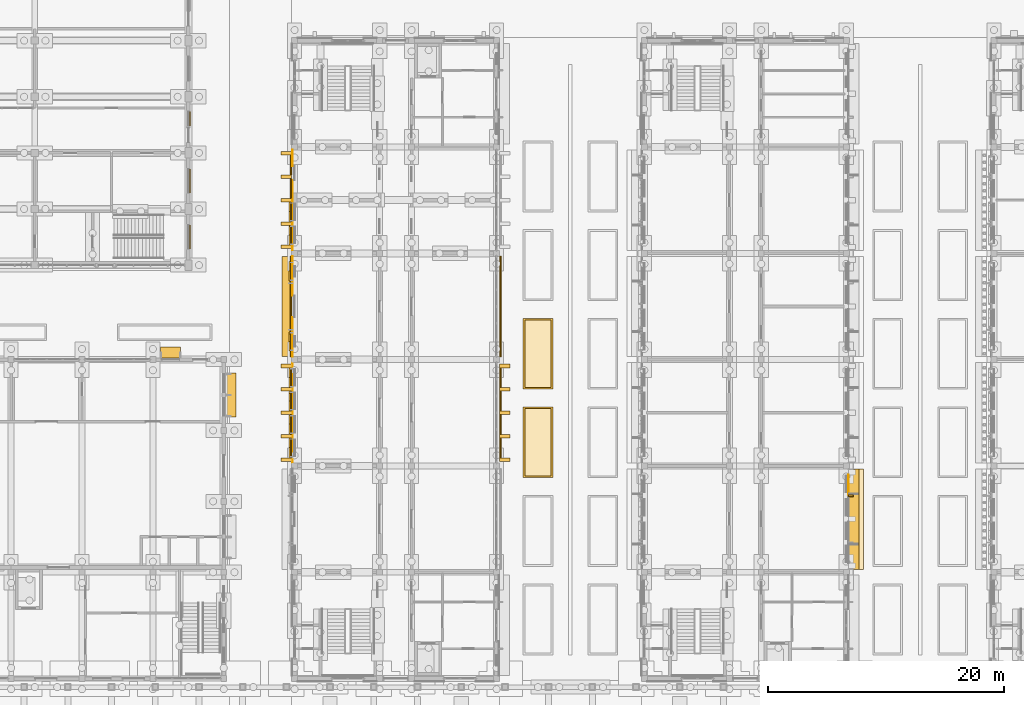
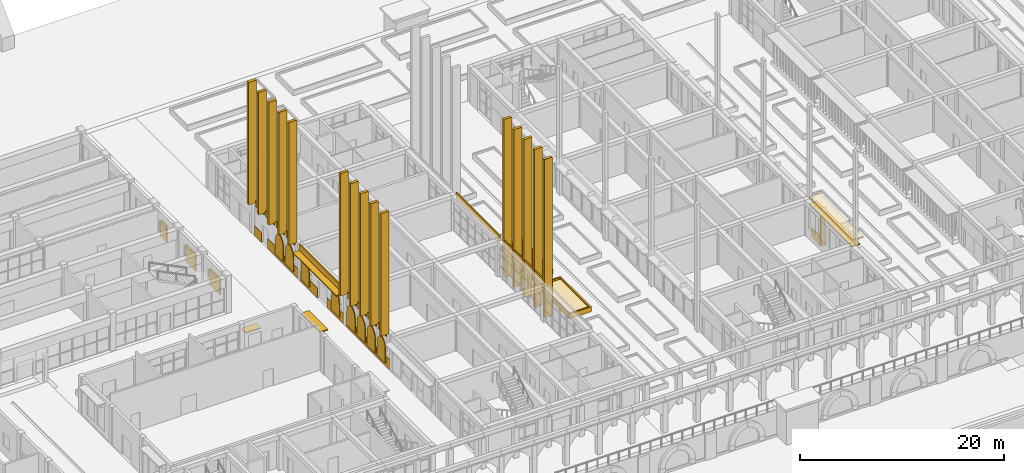
# One storey, part 102 of 161: 41 coverings, 15 shading devices.
"""IFC4 building model written with IfcOpenShell, lengths in metres."""

from ifc_helpers import new_model, si_unit, direction, frame, origin, origin_2d, place, context, subcontext, project, spatial, polyline, rectangle, outline, extrude, material, layer, layer_set, type_object, element, save


model = new_model("IFC4")

# Units and contexts
model_context = context("Model", 3, precision=1e-05, world=origin(), true_north=direction((0.0, 1.0)))
body_context = subcontext(model_context, "Body", "Model", "MODEL_VIEW")
ifc_project = project(units=[si_unit("LENGTHUNIT", "METRE"), si_unit("AREAUNIT", "SQUARE_METRE"), si_unit("VOLUMEUNIT", "CUBIC_METRE"), si_unit("PLANEANGLEUNIT", "RADIAN"), si_unit("MASSUNIT", "GRAM", prefix="KILO")], contexts=[model_context])

# Site, building, storey
site_placement = place(None, origin())
site = spatial("IfcSite", under=ifc_project, at=site_placement, CompositionType="ELEMENT")
building_placement = place(site_placement, origin())
building = spatial("IfcBuilding", under=site, at=building_placement, Name="Elbe Cascade School", CompositionType="ELEMENT")
storey_placement = place(building_placement, origin())
storey = spatial("IfcBuildingStorey", under=building, at=storey_placement, Name="L00", CompositionType="ELEMENT", Elevation=0.0)

# Shading devices
ifc_material_1 = material(Name="Precast concrete C30/37", Category="concrete")
ifc_layer_1 = layer(ifc_material_1, 0.1201171875)
ifc_layer_set_1 = layer_set([ifc_layer_1], Name="Precast concrete C30/37")
shading_device_type_1 = type_object("IfcShadingDeviceType", Name="Bars envelope Chhajja eave, precast concrete, 900 x 120", PredefinedType="USERDEFINED", material=ifc_layer_set_1)
for number, where, z_axis, x_axis, name in (
    (1, (68.3701171875, 37.5, 3.6298828125), (0.0, 0.0, 1.0), (0.0, 1.0, 0.0), "Chhajja eave SD2 A.L00.w4"),
    (2, (116.330078125, 19.5, 3.6298828125), (0.0, 0.0, 1.0), (0.0, 1.0, 0.0), "Chhajja eave SD2 B.L00.e2"),
):
    element("IfcShadingDevice", number, at=place(storey_placement, frame(where, z_axis=z_axis, x_axis=x_axis)), inside=storey, type_object=shading_device_type_1, Name=name, ObjectType="CHHAJJA", PredefinedType="USERDEFINED", context=body_context, shape_type="SweptSolid", body=[
        extrude(rectangle(XDim=8.5, YDim=0.89990234375, at=origin_2d()), origin(), (0.0, 0.0, 1.0), 0.1201171875),
    ])
ifc_material_2 = material(Name="Precast concrete C40/50", Category="concrete")
ifc_layer_2 = layer(ifc_material_2, 0.10009765625)
ifc_layer_set_2 = layer_set([ifc_layer_2], Name="Precast concrete C40/50")
shading_device_type_2 = type_object("IfcShadingDeviceType", Name="Bars envelope Jali screen 1600 x 2840, pointed arch rise 1200, pierced precast concrete", PredefinedType="USERDEFINED", material=ifc_layer_set_2)
shading_device_1_placement = place(storey_placement, frame((68.5400390625, 24.72998046875, 2.239990234375), z_axis=(-1.0, 0.0, 0.0), x_axis=(0.0, 0.196300278283, 0.98054382908)))
element("IfcShadingDevice", 3, at=shading_device_1_placement, inside=storey, type_object=shading_device_type_2, Name="Jali screen SD3 A.L00.w3.1", ObjectType="JALI", PredefinedType="USERDEFINED", context=body_context, shape_type="SweptSolid", body=[
    extrude(outline(polyline([(0.0, 0.0), (0.509921112317134, 0.0), (0.7186409460062186, 0.06005009918221829), (0.8735458233318658, 0.1311226852889124), (0.9982395622926888, 0.20799441476340969), (1.102872417131342, 0.2891312241218946), (1.1919448840573539, 0.37338315020117196), (1.268281725197354, 0.45993570394643946), (1.3336545243794973, 0.5489321924158467), (1.3075321958793382, 0.6559965916457164), (1.270445825421322, 0.7655049255997259), (1.220671754049922, 0.877553277802997), (1.155289369893253, 0.9924773561437888), (1.069846101614414, 1.1116665143685687), (0.9541916949707512, 1.2366548159611515), (0.7847223319636507, 1.37266560447821), (0.31409961520112845, 1.5689658827607584), (-1.2938869326328684, 1.8908772522001815), (-1.6079865478339967, 0.32191136943942317), (0.0, 0.0)])), origin(), (0.0, 0.0, -1.0), 0.10009765625),
])
for number, where, z_axis, x_axis, name in (
    (4, (68.5400390625, 26.7099609375, 2.239990234375), (-1.0, 0.0, 0.0), (0.0, 0.196300278283, 0.98054382908), "Jali screen SD3 A.L00.w3.2"),
    (5, (68.5400390625, 28.68994140625, 2.239990234375), (-1.0, 0.0, 0.0), (0.0, 0.196300278283, 0.98054382908), "Jali screen SD3 A.L00.w3.3"),
):
    element("IfcShadingDevice", number, at=place(storey_placement, frame(where, z_axis=z_axis, x_axis=x_axis)), inside=storey, type_object=shading_device_type_2, Name=name, ObjectType="JALI", PredefinedType="USERDEFINED", context=body_context, shape_type="SweptSolid", body=[
        extrude(outline(polyline([(0.0, 0.0), (0.509921112317134, 0.0), (0.7186409460062186, 0.06005009918221829), (0.8735458233318658, 0.1311226852889124), (0.9982874871653163, 0.20823380534668107), (1.102872417131342, 0.2891312241218946), (1.1919448840573539, 0.37338315020117196), (1.268281725197354, 0.45993570394643946), (1.3336545243794973, 0.5489321924158467), (1.3075801207519657, 0.6562359822289878), (1.270445825421322, 0.7655049255997259), (1.220671754049922, 0.877553277802997), (1.155289369893253, 0.9924773561437888), (1.069846101614414, 1.1116665143685687), (0.9542396198433787, 1.2368942065444228), (0.7847223319636507, 1.37266560447821), (0.31409961520112845, 1.5689658827607584), (-1.2938869326328684, 1.8908772522001815), (-1.6079865478339967, 0.32191136943942317), (0.0, 0.0)])), origin(), (0.0, 0.0, -1.0), 0.10009765625),
    ])
shading_device_2_placement = place(storey_placement, frame((68.5400390625, 30.669921875, 2.239990234375), z_axis=(-1.0, 0.0, 0.0), x_axis=(0.0, 0.196300278283, 0.98054382908)))
element("IfcShadingDevice", 6, at=shading_device_2_placement, inside=storey, type_object=shading_device_type_2, Name="Jali screen SD3 A.L00.w3.4", ObjectType="JALI", PredefinedType="USERDEFINED", context=body_context, shape_type="SweptSolid", body=[
    extrude(outline(polyline([(0.0, 0.0), (0.509921112317134, 0.0), (0.7186888708788461, 0.0602894897654897), (0.8735458233318658, 0.1311226852889124), (0.9982874871653163, 0.20823380534668107), (1.102872417131342, 0.2891312241218946), (1.1919448840573539, 0.37338315020117196), (1.2683296500699814, 0.46017509452971084), (1.3336545243794973, 0.5489321924158467), (1.3075801207519657, 0.6562359822289878), (1.270445825421322, 0.7655049255997259), (1.220671754049922, 0.877553277802997), (1.1553372947658807, 0.9927167467270602), (1.069846101614414, 1.1116665143685687), (0.9542396198433787, 1.2368942065444228), (0.7847223319636507, 1.37266560447821), (0.31409961520112845, 1.5689658827607584), (-1.2938869326328684, 1.8908772522001815), (-1.6079865478339967, 0.32191136943942317), (0.0, 0.0)])), origin(), (0.0, 0.0, -1.0), 0.10009765625),
])
shading_device_3_placement = place(storey_placement, frame((68.5400390625, 33.72998046875, 2.239990234375), z_axis=(-1.0, 0.0, 0.0), x_axis=(0.0, 0.196300278283, 0.98054382908)))
element("IfcShadingDevice", 7, at=shading_device_3_placement, inside=storey, type_object=shading_device_type_2, Name="Jali screen SD3 A.L00.w4.1", ObjectType="JALI", PredefinedType="USERDEFINED", context=body_context, shape_type="SweptSolid", body=[
    extrude(outline(polyline([(0.0, 0.0), (0.509921112317134, 0.0), (0.7186409460062186, 0.06005009918221829), (0.8735458233318658, 0.1311226852889124), (0.9982395622926888, 0.20799441476340969), (1.102872417131342, 0.2891312241218946), (1.1919448840573539, 0.37338315020117196), (1.268281725197354, 0.45993570394643946), (1.3336545243794973, 0.5489321924158467), (1.3075321958793382, 0.6559965916457164), (1.270445825421322, 0.7655049255997259), (1.220671754049922, 0.877553277802997), (1.155289369893253, 0.9924773561437888), (1.069846101614414, 1.1116665143685687), (0.9541916949707512, 1.2366548159611515), (0.7847223319636507, 1.37266560447821), (0.31409961520112845, 1.5689658827607584), (-1.2938869326328684, 1.8908772522001815), (-1.6079865478339967, 0.32191136943942317), (0.0, 0.0)])), origin(), (0.0, 0.0, -1.0), 0.10009765625),
])
shading_device_4_placement = place(storey_placement, frame((68.5400390625, 39.669921875, 2.239990234375), z_axis=(-1.0, 0.0, 0.0), x_axis=(0.0, 0.196300278283, 0.98054382908)))
element("IfcShadingDevice", 8, at=shading_device_4_placement, inside=storey, type_object=shading_device_type_2, Name="Jali screen SD3 A.L00.w4.4", ObjectType="JALI", PredefinedType="USERDEFINED", context=body_context, shape_type="SweptSolid", body=[
    extrude(outline(polyline([(0.0, 0.0), (0.509921112317134, 0.0), (0.7186888708788461, 0.0602894897654897), (0.8735458233318658, 0.1311226852889124), (0.9982874871653163, 0.20823380534668107), (1.102872417131342, 0.2891312241218946), (1.1919448840573539, 0.37338315020117196), (1.2683296500699814, 0.46017509452971084), (1.3336545243794973, 0.5489321924158467), (1.3075801207519657, 0.6562359822289878), (1.270445825421322, 0.7655049255997259), (1.220671754049922, 0.877553277802997), (1.1553372947658807, 0.9927167467270602), (1.069846101614414, 1.1116665143685687), (0.9542396198433787, 1.2368942065444228), (0.7847223319636507, 1.37266560447821), (0.31409961520112845, 1.5689658827607584), (-1.2938869326328684, 1.8908772522001815), (-1.6079865478339967, 0.32191136943942317), (0.0, 0.0)])), origin(), (0.0, 0.0, -1.0), 0.10009765625),
])
shading_device_5_placement = place(storey_placement, frame((68.5400390625, 42.72998046875, 2.239990234375), z_axis=(-1.0, 0.0, 0.0), x_axis=(0.0, 0.196300278283, 0.98054382908)))
element("IfcShadingDevice", 9, at=shading_device_5_placement, inside=storey, type_object=shading_device_type_2, Name="Jali screen SD3 A.L00.w5.1", ObjectType="JALI", PredefinedType="USERDEFINED", context=body_context, shape_type="SweptSolid", body=[
    extrude(outline(polyline([(0.0, 0.0), (0.509921112317134, 0.0), (0.7186409460062186, 0.06005009918221829), (0.8735458233318658, 0.1311226852889124), (0.9982395622926888, 0.20799441476340969), (1.102872417131342, 0.2891312241218946), (1.1919448840573539, 0.37338315020117196), (1.268281725197354, 0.45993570394643946), (1.3336545243794973, 0.5489321924158467), (1.3075321958793382, 0.6559965916457164), (1.270445825421322, 0.7655049255997259), (1.220671754049922, 0.877553277802997), (1.155289369893253, 0.9924773561437888), (1.069846101614414, 1.1116665143685687), (0.9541916949707512, 1.2366548159611515), (0.7847223319636507, 1.37266560447821), (0.31409961520112845, 1.5689658827607584), (-1.2938869326328684, 1.8908772522001815), (-1.6079865478339967, 0.32191136943942317), (0.0, 0.0)])), origin(), (0.0, 0.0, -1.0), 0.10009765625),
])
shading_device_6_placement = place(storey_placement, frame((68.5400390625, 44.7099609375, 2.239990234375), z_axis=(-1.0, 0.0, 0.0), x_axis=(0.0, 0.196300278283, 0.98054382908)))
element("IfcShadingDevice", 10, at=shading_device_6_placement, inside=storey, type_object=shading_device_type_2, Name="Jali screen SD3 A.L00.w5.2", ObjectType="JALI", PredefinedType="USERDEFINED", context=body_context, shape_type="SweptSolid", body=[
    extrude(outline(polyline([(0.0, 0.0), (0.509921112317134, 0.0), (0.7186409460062186, 0.06005009918221829), (0.8735458233318658, 0.1311226852889124), (0.9982874871653163, 0.20823380534668107), (1.102872417131342, 0.2891312241218946), (1.1919448840573539, 0.37338315020117196), (1.268281725197354, 0.45993570394643946), (1.3336545243794973, 0.5489321924158467), (1.3075801207519657, 0.6562359822289878), (1.270445825421322, 0.7655049255997259), (1.220671754049922, 0.877553277802997), (1.155289369893253, 0.9924773561437888), (1.069846101614414, 1.1116665143685687), (0.9542396198433787, 1.2368942065444228), (0.7847223319636507, 1.37266560447821), (0.31409961520112845, 1.5689658827607584), (-1.2938869326328684, 1.8908772522001815), (-1.6079865478339967, 0.32191136943942317), (0.0, 0.0)])), origin(), (0.0, 0.0, -1.0), 0.10009765625),
])

# Coverings
ifc_material_3 = material(Name="Precast concrete C40/50", Category="concrete")
covering_type_1 = type_object("IfcCoveringType", Name="Bars envelope Precast concrete fin, 140 wide, 400 deep", PredefinedType="CLADDING", material=ifc_material_3)
covering_1_placement = place(storey_placement, frame((116.080078125, 21.47998046875, 0.0), z_axis=(0.0, 0.0, 1.0), x_axis=(0.0, 1.0, 0.0)))
element("IfcCovering", 11, at=covering_1_placement, inside=storey, type_object=covering_type_1, Name="Fin CV56 B.L00.e2.5", PredefinedType="CLADDING", context=body_context, shape_type="SweptSolid", body=[
    extrude(rectangle(XDim=0.139892578125, YDim=0.39990234375, at=origin_2d()), origin(), (0.0, 0.0, 1.0), 3.6298828125),
])
ifc_material_4 = material(Name="Sandstone - red", Category="masonry")
covering_type_2 = type_object("IfcCoveringType", Name="Bars envelope Sandstone chhajja slab, 1200 deep", PredefinedType="CLADDING", material=ifc_material_4)
covering_2_placement = place(storey_placement, frame((116.550048828125, 19.5, 4.31982421875), z_axis=(0.0, 0.0, 1.0), x_axis=(0.0, 1.0, 0.0)))
element("IfcCovering", 12, at=covering_2_placement, inside=storey, type_object=covering_type_2, Name="Chhajja slab CV61 B.L00.e1.1", PredefinedType="CLADDING", context=body_context, shape_type="SweptSolid", body=[
    extrude(rectangle(XDim=8.5, YDim=1.199951171875, at=origin_2d()), origin(), (0.0, 0.0, 1.0), 0.179931640625),
])
ifc_material_5 = material(Name="Sandstone - red", Category="masonry")
ifc_layer_3 = layer(ifc_material_5, 0.0400390625)
ifc_layer_set_3 = layer_set([ifc_layer_3], Name="Sandstone - red")
covering_type_3 = type_object("IfcCoveringType", Name="Bars envelope Sandstone cladding, red, 40 mm", PredefinedType="CLADDING", material=ifc_layer_set_3)
covering_3_placement = place(storey_placement, frame((68.800048828125, 28.5, 0.0), z_axis=(0.0, 0.0, 1.0), x_axis=(0.0, 1.0, 0.0)))
element("IfcCovering", 13, at=covering_3_placement, inside=storey, type_object=covering_type_3, Name="Sandstone cladding CV48 A.L00.w.3.1", PredefinedType="CLADDING", context=body_context, shape_type="SweptSolid", body=[
    extrude(rectangle(XDim=8.5, YDim=0.0400390625, at=origin_2d()), origin(), (0.0, 0.0, 1.0), 1.199951171875),
])
for number, where, z_axis, x_axis, name in (
    (14, (68.800048828125, 34.925048828125, 0.0), (0.0, 0.0, 1.0), (0.0, 1.0, 0.0), "Sandstone cladding CV48 A.L00.w.4.1"),
    (15, (68.800048828125, 40.074951171875, 0.0), (0.0, 0.0, 1.0), (0.0, 1.0, 0.0), "Sandstone cladding CV48 A.L00.w.4.2"),
):
    element("IfcCovering", number, at=place(storey_placement, frame(where, z_axis=z_axis, x_axis=x_axis)), inside=storey, type_object=covering_type_3, Name=name, PredefinedType="CLADDING", context=body_context, shape_type="SweptSolid", body=[
        extrude(rectangle(XDim=3.35009765625, YDim=0.0400390625, at=origin_2d()), origin(), (0.0, 0.0, 1.0), 1.199951171875),
    ])
covering_4_placement = place(storey_placement, frame((68.800048828125, 45.21240234375, 0.0), z_axis=(0.0, 0.0, 1.0), x_axis=(0.0, 1.0, 0.0)))
element("IfcCovering", 16, at=covering_4_placement, inside=storey, type_object=covering_type_3, Name="Sandstone cladding CV48 A.L00.w.5.1", PredefinedType="CLADDING", context=body_context, shape_type="SweptSolid", body=[
    extrude(rectangle(XDim=5.925048828125, YDim=0.0400390625, at=origin_2d()), origin(), (0.0, 0.0, 1.0), 1.199951171875),
])
covering_5_placement = place(storey_placement, frame((68.800048828125, 50.0625, 0.0), z_axis=(0.0, 0.0, 1.0), x_axis=(0.0, 1.0, 0.0)))
element("IfcCovering", 17, at=covering_5_placement, inside=storey, type_object=covering_type_3, Name="Sandstone cladding CV48 A.L00.w.5.2", PredefinedType="CLADDING", context=body_context, shape_type="SweptSolid", body=[
    extrude(rectangle(XDim=1.375, YDim=0.0400390625, at=origin_2d()), origin(), (0.0, 0.0, 1.0), 1.199951171875),
])
covering_6_placement = place(storey_placement, frame((115.89990234375, 22.392578125, 0.0), z_axis=(0.0, 0.0, 1.0), x_axis=(0.0, 1.0, 0.0)))
element("IfcCovering", 18, at=covering_6_placement, inside=storey, type_object=covering_type_3, Name="Sandstone cladding CV48 B.L00.e.2.5", PredefinedType="CLADDING", context=body_context, shape_type="SweptSolid", body=[
    extrude(rectangle(XDim=1.68505859375, YDim=0.0400390625, at=origin_2d()), origin(), (0.0, 0.0, 1.0), 1.199951171875),
])
ifc_material_6 = material(Name="Sandstone - red", Category="masonry")
covering_type_4 = type_object("IfcCoveringType", Name="Bars envelope Sandstone deep fin, 300 wide, 900 deep", PredefinedType="CLADDING", material=ifc_material_6)
for number, where, z_axis, x_axis, name in (
    (19, (68.300048828125, 24.5400390625, 4.25), (0.0, 0.0, 1.0), (0.0, 1.0, 0.0), "Deep fin CV54 A.w2.1"),
    (20, (68.300048828125, 26.52001953125, 4.25), (0.0, 0.0, 1.0), (0.0, 1.0, 0.0), "Deep fin CV54 A.w2.2"),
    (21, (68.300048828125, 28.5, 4.25), (0.0, 0.0, 1.0), (0.0, 1.0, 0.0), "Deep fin CV54 A.w2.3"),
    (22, (68.300048828125, 30.47998046875, 4.25), (0.0, 0.0, 1.0), (0.0, 1.0, 0.0), "Deep fin CV54 A.w2.4"),
    (23, (68.300048828125, 32.4599609375, 4.25), (0.0, 0.0, 1.0), (0.0, 1.0, 0.0), "Deep fin CV54 A.w2.5"),
    (24, (68.300048828125, 42.5400390625, 4.25), (0.0, 0.0, 1.0), (0.0, 1.0, 0.0), "Deep fin CV54 A.w4.1"),
    (25, (68.300048828125, 44.52001953125, 4.25), (0.0, 0.0, 1.0), (0.0, 1.0, 0.0), "Deep fin CV54 A.w4.2"),
    (26, (68.300048828125, 46.5, 4.25), (0.0, 0.0, 1.0), (0.0, 1.0, 0.0), "Deep fin CV54 A.w4.3"),
    (27, (68.300048828125, 48.47998046875, 4.25), (0.0, 0.0, 1.0), (0.0, 1.0, 0.0), "Deep fin CV54 A.w4.4"),
    (28, (68.300048828125, 50.4599609375, 4.25), (0.0, 0.0, 1.0), (0.0, 1.0, 0.0), "Deep fin CV54 A.w4.5"),
):
    element("IfcCovering", number, at=place(storey_placement, frame(where, z_axis=z_axis, x_axis=x_axis)), inside=storey, type_object=covering_type_4, Name=name, PredefinedType="CLADDING", context=body_context, shape_type="SweptSolid", body=[
        extrude(rectangle(XDim=0.300048828125, YDim=0.89990234375, at=origin_2d()), origin(), (0.0, 0.0, 1.0), 14.64990234375),
    ])
for number, where, z_axis, x_axis, name in (
    (29, (86.800048828125, 24.5400390625, 0.0), (0.0, 0.0, 1.0), (0.0, 1.0, 0.0), "Deep fin CV54 A.e2.1"),
    (30, (86.800048828125, 26.52001953125, 0.0), (0.0, 0.0, 1.0), (0.0, 1.0, 0.0), "Deep fin CV54 A.e2.2"),
    (31, (86.800048828125, 28.5, 0.0), (0.0, 0.0, 1.0), (0.0, 1.0, 0.0), "Deep fin CV54 A.e2.3"),
    (32, (86.800048828125, 30.47998046875, 0.0), (0.0, 0.0, 1.0), (0.0, 1.0, 0.0), "Deep fin CV54 A.e2.4"),
    (33, (86.800048828125, 32.4599609375, 0.0), (0.0, 0.0, 1.0), (0.0, 1.0, 0.0), "Deep fin CV54 A.e2.5"),
):
    element("IfcCovering", number, at=place(storey_placement, frame(where, z_axis=z_axis, x_axis=x_axis)), inside=storey, type_object=covering_type_4, Name=name, PredefinedType="CLADDING", context=body_context, shape_type="SweptSolid", body=[
        extrude(rectangle(XDim=0.300048828125, YDim=0.89990234375, at=origin_2d()), origin(), (0.0, 0.0, 1.0), 18.89990234375),
    ])
ifc_material_7 = material(Name="Sandstone - red", Category="masonry")
covering_type_5 = type_object("IfcCoveringType", Name="Bars envelope Sandstone spandrel band, 120 deep", PredefinedType="CLADDING", material=ifc_material_7)
for number, where, z_axis, x_axis, name in (
    (34, (68.68994140625, 25.530029296875, 3.75), (0.0, 0.0, 1.0), (0.0, 1.0, 0.0), "Spandrel band CV53 A.L00.w2.1"),
    (35, (68.68994140625, 27.510009765625, 3.75), (0.0, 0.0, 1.0), (0.0, 1.0, 0.0), "Spandrel band CV53 A.L00.w2.2"),
    (36, (68.68994140625, 29.489990234375, 3.75), (0.0, 0.0, 1.0), (0.0, 1.0, 0.0), "Spandrel band CV53 A.L00.w2.3"),
    (37, (68.68994140625, 31.469970703125, 3.75), (0.0, 0.0, 1.0), (0.0, 1.0, 0.0), "Spandrel band CV53 A.L00.w2.4"),
):
    element("IfcCovering", number, at=place(storey_placement, frame(where, z_axis=z_axis, x_axis=x_axis)), inside=storey, type_object=covering_type_5, Name=name, PredefinedType="CLADDING", context=body_context, shape_type="SweptSolid", body=[
        extrude(rectangle(XDim=1.639892578125, YDim=0.1201171875, at=origin_2d()), origin(), (0.0, 0.0, 1.0), 0.75),
    ])
covering_7_placement = place(storey_placement, frame((68.68994140625, 37.5, 3.75), z_axis=(0.0, 0.0, 1.0), x_axis=(0.0, 1.0, 0.0)))
element("IfcCovering", 38, at=covering_7_placement, inside=storey, type_object=covering_type_5, Name="Spandrel band CV53 A.L00.w3.1", PredefinedType="CLADDING", context=body_context, shape_type="SweptSolid", body=[
    extrude(rectangle(XDim=8.5, YDim=0.1201171875, at=origin_2d()), origin(), (0.0, 0.0, 1.0), 0.75),
])
for number, where, z_axis, x_axis, name in (
    (39, (68.68994140625, 43.530029296875, 3.75), (0.0, 0.0, 1.0), (0.0, 1.0, 0.0), "Spandrel band CV53 A.L00.w4.1"),
    (40, (68.68994140625, 45.510009765625, 3.75), (0.0, 0.0, 1.0), (0.0, 1.0, 0.0), "Spandrel band CV53 A.L00.w4.2"),
    (41, (68.68994140625, 47.489990234375, 3.75), (0.0, 0.0, 1.0), (0.0, 1.0, 0.0), "Spandrel band CV53 A.L00.w4.3"),
    (42, (68.68994140625, 49.469970703125, 3.75), (0.0, 0.0, 1.0), (0.0, 1.0, 0.0), "Spandrel band CV53 A.L00.w4.4"),
    (43, (86.409912109375, 25.530029296875, 3.75), (0.0, 0.0, 1.0), (0.0, 1.0, 0.0), "Spandrel band CV53 A.L00.e2.1"),
    (44, (86.409912109375, 27.510009765625, 3.75), (0.0, 0.0, 1.0), (0.0, 1.0, 0.0), "Spandrel band CV53 A.L00.e2.2"),
    (45, (86.409912109375, 29.489990234375, 3.75), (0.0, 0.0, 1.0), (0.0, 1.0, 0.0), "Spandrel band CV53 A.L00.e2.3"),
    (46, (86.409912109375, 31.469970703125, 3.75), (0.0, 0.0, 1.0), (0.0, 1.0, 0.0), "Spandrel band CV53 A.L00.e2.4"),
):
    element("IfcCovering", number, at=place(storey_placement, frame(where, z_axis=z_axis, x_axis=x_axis)), inside=storey, type_object=covering_type_5, Name=name, PredefinedType="CLADDING", context=body_context, shape_type="SweptSolid", body=[
        extrude(rectangle(XDim=1.639892578125, YDim=0.1201171875, at=origin_2d()), origin(), (0.0, 0.0, 1.0), 0.75),
    ])
covering_8_placement = place(storey_placement, frame((86.409912109375, 37.5, 3.75), z_axis=(0.0, 0.0, 1.0), x_axis=(0.0, 1.0, 0.0)))
element("IfcCovering", 47, at=covering_8_placement, inside=storey, type_object=covering_type_5, Name="Spandrel band CV53 A.L00.e3.1", PredefinedType="CLADDING", context=body_context, shape_type="SweptSolid", body=[
    extrude(rectangle(XDim=8.5, YDim=0.1201171875, at=origin_2d()), origin(), (0.0, 0.0, 1.0), 0.75),
])

# Shading devices
ifc_material_8 = material(Name="Precast concrete C30/37", Category="concrete")
ifc_layer_4 = layer(ifc_material_8, 0.1201171875)
ifc_layer_set_4 = layer_set([ifc_layer_4], Name="Precast concrete C30/37")
shading_device_type_3 = type_object("IfcShadingDeviceType", Name="Dining chhajja eave 900", PredefinedType="USERDEFINED", material=ifc_layer_set_4)
shading_device_7_placement = place(storey_placement, frame((0.0, 0.0, 4.050048828125)))
element("IfcShadingDevice", 48, at=shading_device_7_placement, inside=storey, type_object=shading_device_type_3, Name="Dining chhajja eave 900 SD15", ObjectType="CHHAJJA", PredefinedType="USERDEFINED", context=body_context, shape_type="SweptSolid", body=[
    extrude(outline(polyline([(63.14990234375, 28.14990234375), (64.050048828125, 28.14990234375), (64.050048828125, 31.85009765625), (63.14990234375, 31.85009765625), (63.14990234375, 28.14990234375)])), origin(), (0.0, 0.0, 1.0), 0.119873046875),
])
shading_device_8_placement = place(storey_placement, frame((0.0, 0.0, 2.85009765625)))
element("IfcShadingDevice", 49, at=shading_device_8_placement, inside=storey, type_object=shading_device_type_3, Name="Dining chhajja eave 900 SD15", ObjectType="CHHAJJA", PredefinedType="USERDEFINED", context=body_context, shape_type="SweptSolid", body=[
    extrude(outline(polyline([(57.64990234375, 33.14990234375), (59.35009765625, 33.14990234375), (59.35009765625, 34.050048828125), (57.64990234375, 34.050048828125), (57.64990234375, 33.14990234375)])), origin(), (0.0, 0.0, 1.0), 0.119873046875),
])
ifc_material_9 = material(Name="Precast concrete - pierced screen C30/37", Category="concrete")
shading_device_type_4 = type_object("IfcShadingDeviceType", Name="Hall jali screen 1200x2000 base window", PredefinedType="USERDEFINED", material=ifc_material_9)
shading_device_9_placement = place(storey_placement, frame((60.090087890625, 53.39990234375, 1.0), z_axis=(0.0, 0.0, 1.0), x_axis=(1.0, 0.0, 0.0)))
element("IfcShadingDevice", 50, at=shading_device_9_placement, inside=storey, type_object=shading_device_type_4, Name="Jali screen E3", ObjectType="JALI", PredefinedType="USERDEFINED", context=body_context, shape_type="SweptSolid", body=[
    extrude(rectangle(XDim=0.1201171875, YDim=1.199951171875, at=origin_2d()), origin(), (0.0, 0.0, 1.0), 2.0),
])
ifc_material_10 = material(Name="Precast concrete - pierced screen C30/37", Category="concrete")
shading_device_type_5 = type_object("IfcShadingDeviceType", Name="Hall jali screen 2000x2000 base window", PredefinedType="USERDEFINED", material=ifc_material_10)
for number, where, z_axis, x_axis, name in (
    (51, (60.090087890625, 43.375, 1.0), (0.0, 0.0, 1.0), (1.0, 0.0, 0.0), "Jali screen E1"),
    (52, (60.090087890625, 48.125, 1.0), (0.0, 0.0, 1.0), (1.0, 0.0, 0.0), "Jali screen E2"),
):
    element("IfcShadingDevice", number, at=place(storey_placement, frame(where, z_axis=z_axis, x_axis=x_axis)), inside=storey, type_object=shading_device_type_5, Name=name, ObjectType="JALI", PredefinedType="USERDEFINED", context=body_context, shape_type="SweptSolid", body=[
        extrude(rectangle(XDim=0.1201171875, YDim=2.0, at=origin_2d()), origin(), (0.0, 0.0, 1.0), 2.0),
    ])

# Coverings
ifc_material_11 = material(Name="Planting - soil and shrubs", Category="soil")
ifc_layer_5 = layer(ifc_material_11, 0.39990234375)
ifc_layer_set_5 = layer_set([ifc_layer_5], Name="Planting - soil and shrubs")
covering_type_6 = type_object("IfcCoveringType", Name="Site planting bed 400", PredefinedType="USERDEFINED", material=ifc_layer_set_5)
covering_9_placement = place(storey_placement, origin())
element("IfcCovering", 53, at=covering_9_placement, inside=storey, type_object=covering_type_6, Name="Court A-B planting bed west 3", ObjectType="PLANTING BED", PredefinedType="USERDEFINED", context=body_context, shape_type="SweptSolid", body=[
    extrude(outline(polyline([(88.5, 23.14990234375), (90.699951171875, 23.14990234375), (90.699951171875, 28.85009765625), (88.5, 28.85009765625), (88.5, 23.14990234375)])), origin(), (0.0, 0.0, 1.0), 0.39990234375),
])
covering_10_placement = place(storey_placement, origin())
element("IfcCovering", 54, at=covering_10_placement, inside=storey, type_object=covering_type_6, Name="Court A-B planting bed west 4", ObjectType="PLANTING BED", PredefinedType="USERDEFINED", context=body_context, shape_type="SweptSolid", body=[
    extrude(outline(polyline([(88.5, 30.64990234375), (90.699951171875, 30.64990234375), (90.699951171875, 36.35009765625), (88.5, 36.35009765625), (88.5, 30.64990234375)])), origin(), (0.0, 0.0, 1.0), 0.39990234375),
])
ifc_material_12 = material(Name="Concrete C30/37 precast kerb", Category="concrete")
ifc_layer_6 = layer(ifc_material_12, 0.14990234375)
ifc_layer_set_6 = layer_set([ifc_layer_6], Name="Concrete C30/37 precast kerb")
covering_type_7 = type_object("IfcCoveringType", Name="Site planting bed kerb 150x600", PredefinedType="CLADDING", material=ifc_layer_set_6)
covering_11_placement = place(storey_placement, origin())
element("IfcCovering", 55, at=covering_11_placement, inside=storey, type_object=covering_type_7, Name="Court A-B planting bed kerb west 3", PredefinedType="CLADDING", context=body_context, shape_type="SweptSolid", body=[
    extrude(outline(polyline([(88.35009765625, 23.0), (90.85009765625, 23.0), (90.85009765625, 29.0), (88.35009765625, 29.0), (88.35009765625, 23.0)]), holes=[polyline([(88.5, 23.14990234375), (90.699951171875, 23.14990234375), (90.699951171875, 28.85009765625), (88.5, 28.85009765625), (88.5, 23.14990234375)])]), origin(), (0.0, 0.0, 1.0), 0.60009765625),
])
covering_12_placement = place(storey_placement, origin())
element("IfcCovering", 56, at=covering_12_placement, inside=storey, type_object=covering_type_7, Name="Court A-B planting bed kerb west 4", PredefinedType="CLADDING", context=body_context, shape_type="SweptSolid", body=[
    extrude(outline(polyline([(88.35009765625, 30.5), (90.85009765625, 30.5), (90.85009765625, 36.5), (88.35009765625, 36.5), (88.35009765625, 30.5)]), holes=[polyline([(88.5, 30.64990234375), (90.699951171875, 30.64990234375), (90.699951171875, 36.35009765625), (88.5, 36.35009765625), (88.5, 30.64990234375)])]), origin(), (0.0, 0.0, 1.0), 0.60009765625),
])

save(model, "model.ifc")
